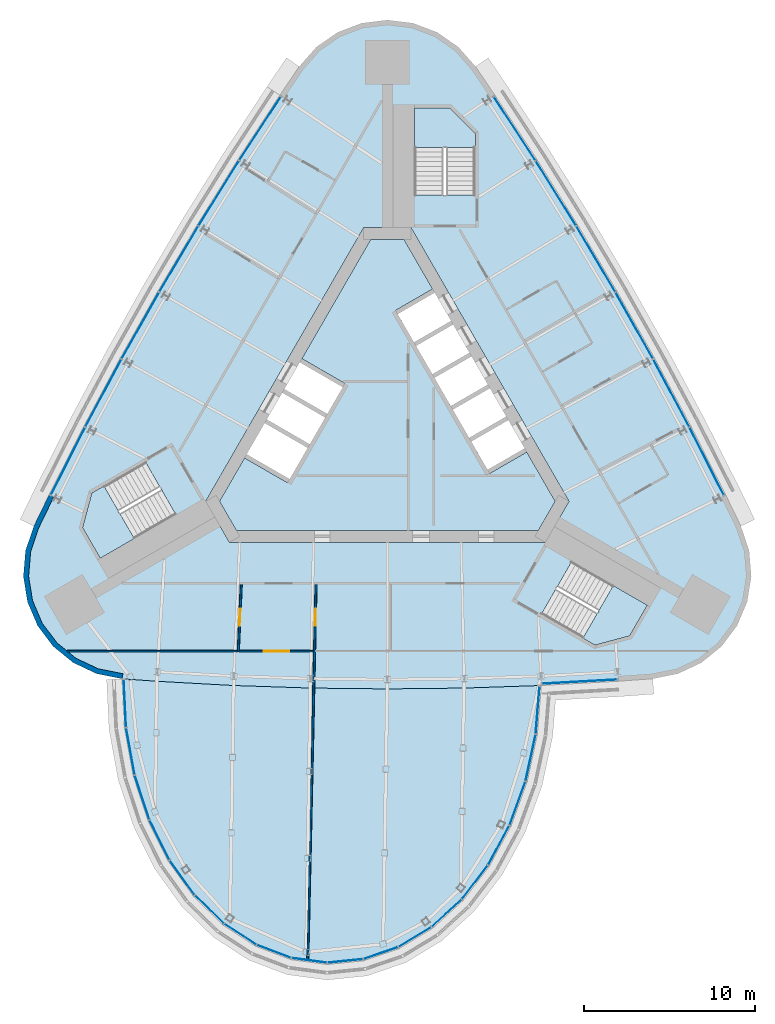
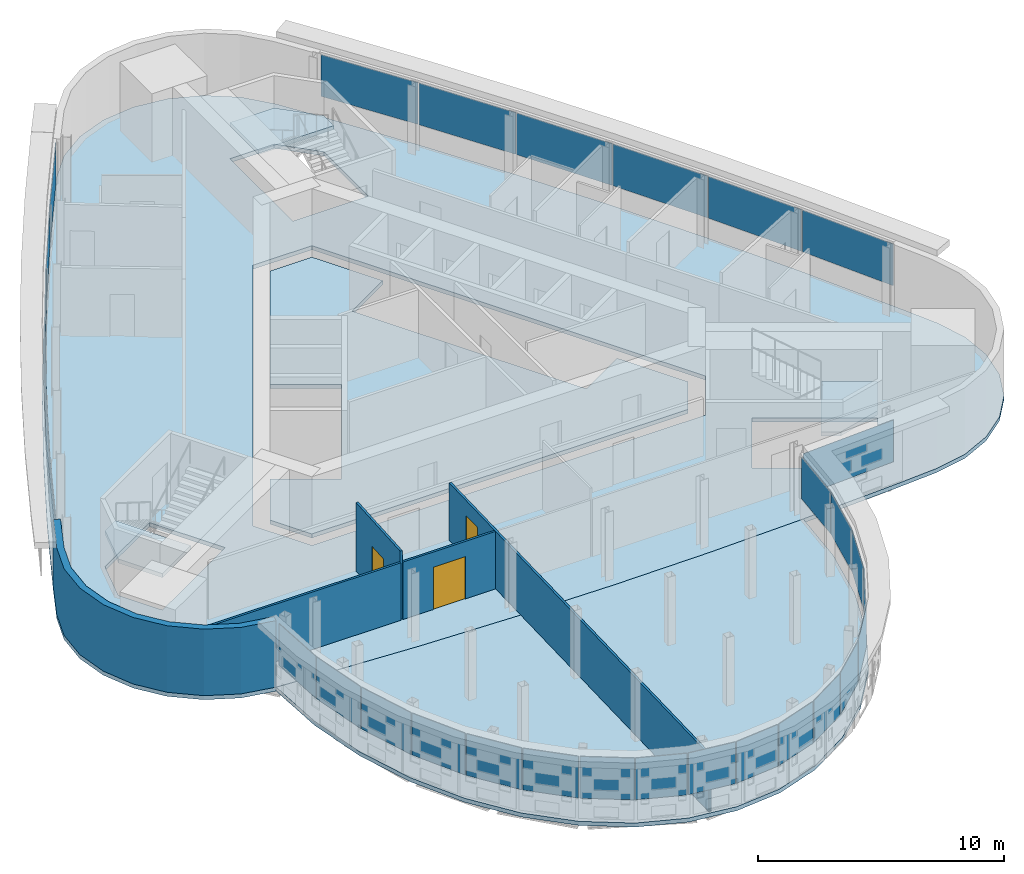
# One storey, part 8 of 14: 31 plates, 6 slabs, 5 walls, 3 doors, 3 openings, 7 elements without a shape of their own.
"""IFC4 building model written with IfcOpenShell, lengths in metres."""

from ifc_helpers import new_model, si_unit, direction, frame, frame_2d, origin, origin_2d, place, context, subcontext, project, spatial, polyline, rectangle, outline, extrude, material, layer, layer_set, type_object, element, fill, aggregate, save


model = new_model("IFC4")

# Units and contexts
model_context = context("Model", 3, precision=1e-05, world=origin(), true_north=direction((0.0, 1.0)))
body_context = subcontext(model_context, "Body", "Model", "MODEL_VIEW")
ifc_project = project(units=[si_unit("LENGTHUNIT", "METRE"), si_unit("AREAUNIT", "SQUARE_METRE"), si_unit("VOLUMEUNIT", "CUBIC_METRE"), si_unit("PLANEANGLEUNIT", "RADIAN"), si_unit("MASSUNIT", "GRAM", prefix="KILO")], contexts=[model_context])

# Site, building, storey
site_placement = place(None, origin())
site = spatial("IfcSite", under=ifc_project, at=site_placement, CompositionType="ELEMENT")
building_placement = place(site_placement, origin())
building = spatial("IfcBuilding", under=site, at=building_placement, Name="Noor Cloister Tower", CompositionType="ELEMENT")
storey_placement = place(building_placement, frame((0.0, 0.0, 222.0)))
storey = spatial("IfcBuildingStorey", under=building, at=storey_placement, Name="L57", CompositionType="ELEMENT", Elevation=222.0)

# Slabs
ifc_material_1 = material(Name="Concrete C40/50", Category="concrete")
ifc_layer_1 = layer(ifc_material_1, 0.199951171875)
ifc_layer_set_1 = layer_set([ifc_layer_1], Name="Core floor slab 200 C40/50")
slab_type_1 = type_object("IfcSlabType", Name="Core floor slab 200 C40/50", PredefinedType="FLOOR", material=ifc_layer_set_1)
slab_1_placement = place(storey_placement, frame((0.0, 0.0, -0.199951171875)))
element("IfcSlab", 1, at=slab_1_placement, inside=storey, type_object=slab_type_1, Name="Core floor L57", PredefinedType="FLOOR", context=body_context, shape_type="SweptSolid", body=[
    extrude(outline(polyline([(2.643798828125, 7.877197265625), (0.9814453125, 10.75634765625), (-0.9814453125, 10.75634765625), (-4.993896484375, 3.806884765625), (-2.482421875, 2.35693359375), (-5.832275390625, -3.4453125), (-8.34375, -1.995361328125), (-9.80615234375, -4.5283203125), (-8.82470703125, -6.228271484375), (8.82470703125, -6.228271484375), (9.80615234375, -4.5283203125), (8.143798828125, -1.64892578125), (5.978759765625, -2.89892578125), (0.478759765625, 6.627197265625), (2.643798828125, 7.877197265625)])), origin(), (0.0, 0.0, 1.0), 0.199951171875),
])
ifc_material_2 = material(Name="Concrete C40/50", Category="concrete")
ifc_layer_2 = layer(ifc_material_2, 0.199951171875)
ifc_layer_set_2 = layer_set([ifc_layer_2], Name="Floor slab 200 C40/50")
slab_type_2 = type_object("IfcSlabType", Name="Floor slab 200 C40/50", PredefinedType="FLOOR", material=ifc_layer_set_2)
slab_2_placement = place(storey_placement, frame((0.0, 0.0, -0.199951171875)))
element("IfcSlab", 2, at=slab_2_placement, inside=storey, type_object=slab_type_2, Name="Floor slab L57", PredefinedType="FLOOR", context=body_context, shape_type="SweptSolid", body=[
    extrude(outline(polyline([(5.148681640625, 20.87890625), (4.1513671875, 22.012939453125), (2.91064453125, 22.874267578125), (1.499267578125, 23.412109375), (0.0, 23.5947265625), (-1.499267578125, 23.412109375), (-2.91064453125, 22.874267578125), (-4.1513671875, 22.012939453125), (-5.148681640625, 20.87890625), (-6.2822265625, 19.2041015625), (-8.744140625, 15.437255859375), (-11.122314453125, 11.6171875), (-13.415283203125, 7.745361328125), (-15.621826171875, 3.823486328125), (-17.7412109375, -0.14599609375), (-19.772216796875, -4.16162109375), (-20.65576171875, -5.98046875), (-21.139404296875, -7.411376953125), (-21.264892578125, -8.91650390625), (-21.02490234375, -10.40771484375), (-20.433837890625, -11.79736328125), (-19.52587890625, -13.00439453125), (-18.354248046875, -13.957763671875), (-16.988037109375, -14.6015625), (-15.50732421875, -14.898193359375), (-13.489990234375, -15.04248046875), (-8.9970703125, -15.291259765625), (-4.49951171875, -15.440673828125), (0.0, -15.490478515625), (4.49951171875, -15.440673828125), (8.9970703125, -15.291259765625), (13.489990234375, -15.04248046875), (15.50732421875, -14.898193359375), (16.988037109375, -14.6015625), (18.354248046875, -13.957763671875), (19.52587890625, -13.00439453125), (20.433837890625, -11.79736328125), (21.02490234375, -10.40771484375), (21.264892578125, -8.91650390625), (21.139404296875, -7.411376953125), (20.65576171875, -5.98046875), (19.772216796875, -4.16162109375), (17.7412109375, -0.14599609375), (15.621826171875, 3.823486328125), (13.415283203125, 7.745361328125), (11.122314453125, 11.6171875), (8.744140625, 15.437255859375), (6.2822265625, 19.2041015625), (5.148681640625, 20.87890625)]), holes=[polyline([(8.999755859375, -11.126220703125), (12.131591796875, -12.934326171875), (14.1572265625, -12.3916015625), (15.19091796875, -10.601318359375), (10.774658203125, -8.0517578125), (8.999755859375, -11.126220703125)]), polyline([(-17.81005859375, -6.064697265625), (-16.776611328125, -7.85498046875), (-12.3603515625, -5.305419921875), (-14.13525390625, -2.23095703125), (-16.662841796875, -3.690185546875), (-17.267333984375, -4.039306640625), (-17.81005859375, -6.064697265625)]), polyline([(-10.6142578125, -4.5283203125), (-9.228759765625, -6.92822265625), (9.228759765625, -6.92822265625), (10.6142578125, -4.5283203125), (1.3857421875, 11.456298828125), (-1.3857421875, 11.456298828125), (-10.6142578125, -4.5283203125)]), polyline([(3.65283203125, 18.456298828125), (1.585693359375, 18.456298828125), (1.585693359375, 13.35693359375), (5.135498046875, 13.35693359375), (5.135498046875, 16.9736328125), (3.65283203125, 18.456298828125)])]), origin(), (0.0, 0.0, 1.0), 0.199951171875),
])

# Curtain wall, plates
ifc_material_3 = material(Name="Aluminium 6063-T6 anodised", Category="aluminium")
curtain_wall_type_1 = type_object("IfcCurtainWallType", Name="Ribbon curtain wall, upper tower CW5", PredefinedType="NOTDEFINED", material=ifc_material_3)
curtain_wall_1_placement = place(storey_placement, origin())
curtain_wall_1 = element("IfcCurtainWall", 3, at=curtain_wall_1_placement, inside=storey, type_object=curtain_wall_type_1, Name="CW5 L57 NW run 1", PredefinedType="NOTDEFINED")
ifc_material_4 = material(Name="Clear laminated glass 2 x 8 mm", Category="glass")
ifc_layer_3 = layer(ifc_material_4, 0.028076171875)
ifc_layer_set_3 = layer_set([ifc_layer_3], Name="Glass panel CW5")
plate_type_1 = type_object("IfcPlateType", Name="Glass panel CW5", PredefinedType="CURTAIN_PANEL", material=ifc_layer_set_3)
plate_1_placement = place(storey_placement, frame((-7.438720703125, 17.251708984375, 1.08984375), z_axis=(0.0, 0.0, 1.0), x_axis=(-0.547130585813, -0.837047263939, 0.0)))
plate_1 = element("IfcPlate", 4, at=plate_1_placement, type_object=plate_type_1, Name="CW5 glass panel 1", PredefinedType="CURTAIN_PANEL", context=body_context, shape_type="SweptSolid", body=[
    extrude(rectangle(XDim=4.413818359375, YDim=0.028076171875, at=origin_2d()), origin(), (0.0, 0.0, 1.0), 2.070068359375),
])
plate_2_placement = place(storey_placement, frame((-9.848388671875, 13.474365234375, 1.08984375), z_axis=(0.0, 0.0, 1.0), x_axis=(-0.528471347381, -0.848951138168, 0.0)))
plate_2 = element("IfcPlate", 5, at=plate_2_placement, type_object=plate_type_1, Name="CW5 glass panel 2", PredefinedType="CURTAIN_PANEL", context=body_context, shape_type="SweptSolid", body=[
    extrude(rectangle(XDim=4.44775390625, YDim=0.028076171875, at=origin_2d()), origin(), (0.0, 0.0, 1.0), 2.070068359375),
])
plate_3_placement = place(storey_placement, frame((-12.1826171875, 9.630126953125, 1.08984375), z_axis=(0.0, 0.0, 1.0), x_axis=(-0.509553242025, -0.860439128319, 0.0)))
plate_3 = element("IfcPlate", 6, at=plate_3_placement, type_object=plate_type_1, Name="CW5 glass panel 3", PredefinedType="CURTAIN_PANEL", context=body_context, shape_type="SweptSolid", body=[
    extrude(rectangle(XDim=4.44775390625, YDim=0.028076171875, at=origin_2d()), origin(), (0.0, 0.0, 1.0), 2.070068359375),
])
plate_4_placement = place(storey_placement, frame((-14.431396484375, 5.7353515625, 1.08984375), z_axis=(0.0, 0.0, 1.0), x_axis=(-0.490385522521, -0.871505616334, 0.0)))
plate_4 = element("IfcPlate", 7, at=plate_4_placement, type_object=plate_type_1, Name="CW5 glass panel 4", PredefinedType="CURTAIN_PANEL", context=body_context, shape_type="SweptSolid", body=[
    extrude(rectangle(XDim=4.44775390625, YDim=0.028076171875, at=origin_2d()), origin(), (0.0, 0.0, 1.0), 2.070068359375),
])
plate_5_placement = place(storey_placement, frame((-16.59326171875, 1.791748046875, 1.08984375), z_axis=(0.0, 0.0, 1.0), x_axis=(-0.470977578535, -0.882145181088, 0.0)))
plate_5 = element("IfcPlate", 8, at=plate_5_placement, type_object=plate_type_1, Name="CW5 glass panel 5", PredefinedType="CURTAIN_PANEL", context=body_context, shape_type="SweptSolid", body=[
    extrude(rectangle(XDim=4.44775390625, YDim=0.028076171875, at=origin_2d()), origin(), (0.0, 0.0, 1.0), 2.070068359375),
])
plate_6_placement = place(storey_placement, frame((-18.659912109375, -2.183837890625, 1.08984375), z_axis=(0.0, 0.0, 1.0), x_axis=(-0.451338901833, -0.892352618471, 0.0)))
plate_6 = element("IfcPlate", 9, at=plate_6_placement, type_object=plate_type_1, Name="CW5 glass panel 6", PredefinedType="CURTAIN_PANEL", context=body_context, shape_type="SweptSolid", body=[
    extrude(rectangle(XDim=4.413818359375, YDim=0.028076171875, at=origin_2d()), origin(), (0.0, 0.0, 1.0), 2.070068359375),
])
aggregate(curtain_wall_1, [plate_1, plate_2, plate_3, plate_4, plate_5, plate_6])

# Curtain wall, plate
curtain_wall_2_placement = place(storey_placement, origin())
curtain_wall_2 = element("IfcCurtainWall", 10, at=curtain_wall_2_placement, inside=storey, type_object=curtain_wall_type_1, Name="CW5 L57 S run 3", PredefinedType="NOTDEFINED")
plate_7_placement = place(storey_placement, frame((11.238037109375, -15.067138671875, 1.08984375), z_axis=(0.0, 0.0, 1.0), x_axis=(0.998469487646, 0.055305354532, 0.0)))
plate_7 = element("IfcPlate", 11, at=plate_7_placement, type_object=plate_type_1, Name="CW5 glass panel 1", PredefinedType="CURTAIN_PANEL", context=body_context, shape_type="SweptSolid", body=[
    extrude(rectangle(XDim=4.3798828125, YDim=0.028076171875, at=origin_2d()), origin(), (0.0, 0.0, 1.0), 2.070068359375),
])
aggregate(curtain_wall_2, [plate_7])

# Curtain wall, plates
curtain_wall_3_placement = place(storey_placement, origin())
curtain_wall_3 = element("IfcCurtainWall", 12, at=curtain_wall_3_placement, inside=storey, type_object=curtain_wall_type_1, Name="CW5 L57 NE run 4", PredefinedType="NOTDEFINED")
plate_8_placement = place(storey_placement, frame((18.659912109375, -2.183837890625, 1.08984375), z_axis=(0.0, 0.0, 1.0), x_axis=(-0.451338901833, 0.892352618471, 0.0)))
plate_8 = element("IfcPlate", 13, at=plate_8_placement, type_object=plate_type_1, Name="CW5 glass panel 1", PredefinedType="CURTAIN_PANEL", context=body_context, shape_type="SweptSolid", body=[
    extrude(rectangle(XDim=4.413818359375, YDim=0.028076171875, at=origin_2d()), origin(), (0.0, 0.0, 1.0), 2.070068359375),
])
plate_9_placement = place(storey_placement, frame((16.59326171875, 1.791748046875, 1.08984375), z_axis=(0.0, 0.0, 1.0), x_axis=(-0.470977578535, 0.882145181088, 0.0)))
plate_9 = element("IfcPlate", 14, at=plate_9_placement, type_object=plate_type_1, Name="CW5 glass panel 2", PredefinedType="CURTAIN_PANEL", context=body_context, shape_type="SweptSolid", body=[
    extrude(rectangle(XDim=4.44775390625, YDim=0.028076171875, at=origin_2d()), origin(), (0.0, 0.0, 1.0), 2.070068359375),
])
plate_10_placement = place(storey_placement, frame((14.431396484375, 5.7353515625, 1.08984375), z_axis=(0.0, 0.0, 1.0), x_axis=(-0.490385522521, 0.871505616334, 0.0)))
plate_10 = element("IfcPlate", 15, at=plate_10_placement, type_object=plate_type_1, Name="CW5 glass panel 3", PredefinedType="CURTAIN_PANEL", context=body_context, shape_type="SweptSolid", body=[
    extrude(rectangle(XDim=4.44775390625, YDim=0.028076171875, at=origin_2d()), origin(), (0.0, 0.0, 1.0), 2.070068359375),
])
plate_11_placement = place(storey_placement, frame((12.1826171875, 9.630126953125, 1.08984375), z_axis=(0.0, 0.0, 1.0), x_axis=(-0.509553242025, 0.860439128319, 0.0)))
plate_11 = element("IfcPlate", 16, at=plate_11_placement, type_object=plate_type_1, Name="CW5 glass panel 4", PredefinedType="CURTAIN_PANEL", context=body_context, shape_type="SweptSolid", body=[
    extrude(rectangle(XDim=4.44775390625, YDim=0.028076171875, at=origin_2d()), origin(), (0.0, 0.0, 1.0), 2.070068359375),
])
plate_12_placement = place(storey_placement, frame((9.848388671875, 13.474365234375, 1.08984375), z_axis=(0.0, 0.0, 1.0), x_axis=(-0.528471347381, 0.848951138168, 0.0)))
plate_12 = element("IfcPlate", 17, at=plate_12_placement, type_object=plate_type_1, Name="CW5 glass panel 5", PredefinedType="CURTAIN_PANEL", context=body_context, shape_type="SweptSolid", body=[
    extrude(rectangle(XDim=4.44775390625, YDim=0.028076171875, at=origin_2d()), origin(), (0.0, 0.0, 1.0), 2.070068359375),
])
plate_13_placement = place(storey_placement, frame((7.438720703125, 17.251708984375, 1.08984375), z_axis=(0.0, 0.0, 1.0), x_axis=(-0.547130585813, 0.837047263939, 0.0)))
plate_13 = element("IfcPlate", 18, at=plate_13_placement, type_object=plate_type_1, Name="CW5 glass panel 6", PredefinedType="CURTAIN_PANEL", context=body_context, shape_type="SweptSolid", body=[
    extrude(rectangle(XDim=4.413818359375, YDim=0.028076171875, at=origin_2d()), origin(), (0.0, 0.0, 1.0), 2.070068359375),
])
aggregate(curtain_wall_3, [plate_8, plate_9, plate_10, plate_11, plate_12, plate_13])

ifc_material_5 = material(Name="Aluminium 6063-T6 anodised", Category="aluminium")
curtain_wall_type_2 = type_object("IfcCurtainWallType", Name="Sky bar curtain wall, upper bars CW6", PredefinedType="NOTDEFINED", material=ifc_material_5)
curtain_wall_4_placement = place(storey_placement, origin())
curtain_wall_4 = element("IfcCurtainWall", 19, at=curtain_wall_4_placement, inside=storey, type_object=curtain_wall_type_2, Name="CW6 L57 S sky bar run 2", PredefinedType="NOTDEFINED")
ifc_material_6 = material(Name="Clear laminated glass 2 x 8 mm", Category="glass")
ifc_layer_4 = layer(ifc_material_6, 0.028076171875)
ifc_layer_set_4 = layer_set([ifc_layer_4], Name="Glass panel CW6")
plate_type_2 = type_object("IfcPlateType", Name="Glass panel CW6", PredefinedType="CURTAIN_PANEL", material=ifc_layer_set_4)
plate_14_placement = place(storey_placement, frame((-15.336669921875, -16.34130859375, 1.08984375), z_axis=(0.0, 0.0, 1.0), x_axis=(0.048822714606, -0.998807460194, 0.0)))
plate_14 = element("IfcPlate", 20, at=plate_14_placement, type_object=plate_type_2, Name="CW6 glass panel 1", PredefinedType="CURTAIN_PANEL", context=body_context, shape_type="SweptSolid", body=[
    extrude(rectangle(XDim=2.779541015625, YDim=0.028076171875, at=origin_2d()), origin(), (0.0, 0.0, 1.0), 2.070068359375),
])
plate_15_placement = place(storey_placement, frame((-15.0146484375, -19.141357421875, 1.08984375), z_axis=(0.0, 0.0, 1.0), x_axis=(0.17940983055, -0.983774421655, 0.0)))
plate_15 = element("IfcPlate", 21, at=plate_15_placement, type_object=plate_type_2, Name="CW6 glass panel 2", PredefinedType="CURTAIN_PANEL", context=body_context, shape_type="SweptSolid", body=[
    extrude(rectangle(XDim=2.76904296875, YDim=0.028076171875, at=origin_2d()), origin(), (0.0, 0.0, 1.0), 2.070068359375),
])
plate_16_placement = place(storey_placement, frame((-14.33349609375, -21.831787109375, 1.08984375), z_axis=(0.0, 0.0, 1.0), x_axis=(0.312038400658, -0.950069490361, 0.0)))
plate_16 = element("IfcPlate", 22, at=plate_16_placement, type_object=plate_type_2, Name="CW6 glass panel 3", PredefinedType="CURTAIN_PANEL", context=body_context, shape_type="SweptSolid", body=[
    extrude(rectangle(XDim=2.694091796875, YDim=0.028076171875, at=origin_2d()), origin(), (0.0, 0.0, 1.0), 2.070068359375),
])
plate_17_placement = place(storey_placement, frame((-13.315185546875, -24.316162109375, 1.08984375), z_axis=(0.0, 0.0, 1.0), x_axis=(0.447069484566, -0.894499231956, 0.0)))
plate_17 = element("IfcPlate", 23, at=plate_17_placement, type_object=plate_type_2, Name="CW6 glass panel 4", PredefinedType="CURTAIN_PANEL", context=body_context, shape_type="SweptSolid", body=[
    extrude(rectangle(XDim=2.590087890625, YDim=0.028076171875, at=origin_2d()), origin(), (0.0, 0.0, 1.0), 2.070068359375),
])
plate_18_placement = place(storey_placement, frame((-11.9912109375, -26.51904296875, 1.08984375), z_axis=(0.0, 0.0, 1.0), x_axis=(0.583263432712, -0.812283059076, 0.0)))
plate_18 = element("IfcPlate", 24, at=plate_18_placement, type_object=plate_type_2, Name="CW6 glass panel 5", PredefinedType="CURTAIN_PANEL", context=body_context, shape_type="SweptSolid", body=[
    extrude(rectangle(XDim=2.466064453125, YDim=0.028076171875, at=origin_2d()), origin(), (0.0, 0.0, 1.0), 2.070068359375),
])
plate_19_placement = place(storey_placement, frame((-10.40234375, -28.373291015625, 1.08984375), z_axis=(0.0, 0.0, 1.0), x_axis=(0.716495314317, -0.697591904025, 0.0)))
plate_19 = element("IfcPlate", 25, at=plate_19_placement, type_object=plate_type_2, Name="CW6 glass panel 6", PredefinedType="CURTAIN_PANEL", context=body_context, shape_type="SweptSolid", body=[
    extrude(rectangle(XDim=2.3359375, YDim=0.028076171875, at=origin_2d()), origin(), (0.0, 0.0, 1.0), 2.070068359375),
])
plate_20_placement = place(storey_placement, frame((-8.59814453125, -29.8232421875, 1.08984375), z_axis=(0.0, 0.0, 1.0), x_axis=(0.838255798572, -0.545277192041, 0.0)))
plate_20 = element("IfcPlate", 26, at=plate_20_placement, type_object=plate_type_2, Name="CW6 glass panel 7", PredefinedType="CURTAIN_PANEL", context=body_context, shape_type="SweptSolid", body=[
    extrude(rectangle(XDim=2.21484375, YDim=0.028076171875, at=origin_2d()), origin(), (0.0, 0.0, 1.0), 2.070068359375),
])
plate_21_placement = place(storey_placement, frame((-6.6337890625, -30.825439453125, 1.08984375), z_axis=(0.0, 0.0, 1.0), x_axis=(0.935082379451, -0.354430449651, 0.0)))
plate_21 = element("IfcPlate", 27, at=plate_21_placement, type_object=plate_type_2, Name="CW6 glass panel 8", PredefinedType="CURTAIN_PANEL", context=body_context, shape_type="SweptSolid", body=[
    extrude(rectangle(XDim=2.12060546875, YDim=0.028076171875, at=origin_2d()), origin(), (0.0, 0.0, 1.0), 2.070068359375),
])
plate_22_placement = place(storey_placement, frame((-4.568359375, -31.35107421875, 1.08984375), z_axis=(0.0, 0.0, 1.0), x_axis=(0.991127949821, -0.132911199993, 0.0)))
plate_22 = element("IfcPlate", 28, at=plate_22_placement, type_object=plate_type_2, Name="CW6 glass panel 9", PredefinedType="CURTAIN_PANEL", context=body_context, shape_type="SweptSolid", body=[
    extrude(rectangle(XDim=2.06884765625, YDim=0.028076171875, at=origin_2d()), origin(), (0.0, 0.0, 1.0), 2.070068359375),
])
plate_23_placement = place(storey_placement, frame((-2.4638671875, -31.385009765625, 1.08984375), z_axis=(0.0, 0.0, 1.0), x_axis=(0.994881086268, 0.101052581298, 0.0)))
plate_23 = element("IfcPlate", 29, at=plate_23_placement, type_object=plate_type_2, Name="CW6 glass panel 10", PredefinedType="CURTAIN_PANEL", context=body_context, shape_type="SweptSolid", body=[
    extrude(rectangle(XDim=2.06884765625, YDim=0.028076171875, at=origin_2d()), origin(), (0.0, 0.0, 1.0), 2.070068359375),
])
plate_24_placement = place(storey_placement, frame((-0.3828125, -30.92578125, 1.08984375), z_axis=(0.0, 0.0, 1.0), x_axis=(0.945969538875, 0.324255503454, 0.0)))
plate_24 = element("IfcPlate", 30, at=plate_24_placement, type_object=plate_type_2, Name="CW6 glass panel 11", PredefinedType="CURTAIN_PANEL", context=body_context, shape_type="SweptSolid", body=[
    extrude(rectangle(XDim=2.12060546875, YDim=0.028076171875, at=origin_2d()), origin(), (0.0, 0.0, 1.0), 2.070068359375),
])
plate_25_placement = place(storey_placement, frame((1.61279296875, -29.987060546875, 1.08984375), z_axis=(0.0, 0.0, 1.0), x_axis=(0.855314149402, 0.518109743039, 0.0)))
plate_25 = element("IfcPlate", 31, at=plate_25_placement, type_object=plate_type_2, Name="CW6 glass panel 12", PredefinedType="CURTAIN_PANEL", context=body_context, shape_type="SweptSolid", body=[
    extrude(rectangle(XDim=2.21484375, YDim=0.028076171875, at=origin_2d()), origin(), (0.0, 0.0, 1.0), 2.070068359375),
])
plate_26_placement = place(storey_placement, frame((3.462646484375, -28.595703125, 1.08984375), z_axis=(0.0, 0.0, 1.0), x_axis=(0.738501778547, 0.674251528054, 0.0)))
plate_26 = element("IfcPlate", 32, at=plate_26_placement, type_object=plate_type_2, Name="CW6 glass panel 13", PredefinedType="CURTAIN_PANEL", context=body_context, shape_type="SweptSolid", body=[
    extrude(rectangle(XDim=2.3359375, YDim=0.028076171875, at=origin_2d()), origin(), (0.0, 0.0, 1.0), 2.070068359375),
])
plate_27_placement = place(storey_placement, frame((5.110107421875, -26.79345703125, 1.08984375), z_axis=(0.0, 0.0, 1.0), x_axis=(0.609017158435, 0.793157046701, 0.0)))
plate_27 = element("IfcPlate", 33, at=plate_27_placement, type_object=plate_type_2, Name="CW6 glass panel 14", PredefinedType="CURTAIN_PANEL", context=body_context, shape_type="SweptSolid", body=[
    extrude(rectangle(XDim=2.466064453125, YDim=0.028076171875, at=origin_2d()), origin(), (0.0, 0.0, 1.0), 2.070068359375),
])
plate_28_placement = place(storey_placement, frame((6.504150390625, -24.634033203125, 1.08984375), z_axis=(0.0, 0.0, 1.0), x_axis=(0.475530339564, 0.879699321447, 0.0)))
plate_28 = element("IfcPlate", 34, at=plate_28_placement, type_object=plate_type_2, Name="CW6 glass panel 15", PredefinedType="CURTAIN_PANEL", context=body_context, shape_type="SweptSolid", body=[
    extrude(rectangle(XDim=2.590087890625, YDim=0.028076171875, at=origin_2d()), origin(), (0.0, 0.0, 1.0), 2.070068359375),
])
plate_29_placement = place(storey_placement, frame((7.6015625, -22.18359375, 1.08984375), z_axis=(0.0, 0.0, 1.0), x_axis=(0.342351138036, 0.939572082538, 0.0)))
plate_29 = element("IfcPlate", 35, at=plate_29_placement, type_object=plate_type_2, Name="CW6 glass panel 16", PredefinedType="CURTAIN_PANEL", context=body_context, shape_type="SweptSolid", body=[
    extrude(rectangle(XDim=2.694091796875, YDim=0.028076171875, at=origin_2d()), origin(), (0.0, 0.0, 1.0), 2.070068359375),
])
plate_30_placement = place(storey_placement, frame((8.36865234375, -19.516357421875, 1.08984375), z_axis=(0.0, 0.0, 1.0), x_axis=(0.210871888122, 0.977513706707, 0.0)))
plate_30 = element("IfcPlate", 36, at=plate_30_placement, type_object=plate_type_2, Name="CW6 glass panel 17", PredefinedType="CURTAIN_PANEL", context=body_context, shape_type="SweptSolid", body=[
    extrude(rectangle(XDim=2.76904296875, YDim=0.028076171875, at=origin_2d()), origin(), (0.0, 0.0, 1.0), 2.070068359375),
])
plate_31_placement = place(storey_placement, frame((8.7802734375, -16.728271484375, 1.08984375), z_axis=(0.0, 0.0, 1.0), x_axis=(0.080834144736, 0.996727566111, 0.0)))
plate_31 = element("IfcPlate", 37, at=plate_31_placement, type_object=plate_type_2, Name="CW6 glass panel 18", PredefinedType="CURTAIN_PANEL", context=body_context, shape_type="SweptSolid", body=[
    extrude(rectangle(XDim=2.779541015625, YDim=0.028076171875, at=origin_2d()), origin(), (0.0, 0.0, 1.0), 2.070068359375),
])
aggregate(curtain_wall_4, [plate_14, plate_15, plate_16, plate_17, plate_18, plate_19, plate_20, plate_21, plate_22, plate_23, plate_24, plate_25, plate_26, plate_27, plate_28, plate_29, plate_30, plate_31])

# Slab
ifc_material_7 = material(Name="Concrete C40/50", Category="concrete")
ifc_layer_5 = layer(ifc_material_7, 0.199951171875)
ifc_layer_set_5 = layer_set([ifc_layer_5], Name="Pod floor slab 200")
slab_type_3 = type_object("IfcSlabType", Name="Pod floor slab 200", PredefinedType="FLOOR", material=ifc_layer_set_5)
slab_3_placement = place(storey_placement, frame((0.0, 0.0, -0.199951171875)))
element("IfcSlab", 38, at=slab_3_placement, inside=storey, type_object=slab_type_3, Name="Pod floor slab L57", PredefinedType="FLOOR", context=body_context, shape_type="SweptSolid", body=[
    extrude(outline(polyline([(-15.50732421875, -14.898193359375), (-15.366943359375, -17.76611328125), (-14.85888671875, -20.552734375), (-13.998046875, -23.173583984375), (-12.810791015625, -25.548828125), (-11.333251953125, -27.6064453125), (-9.6103515625, -29.2841796875), (-7.6943359375, -30.530517578125), (-5.643310546875, -31.307861328125), (-3.519775390625, -31.5927734375), (-1.38818359375, -31.376220703125), (0.686767578125, -30.6650390625), (2.641845703125, -29.480712890625), (4.417724609375, -27.859130859375), (5.96044921875, -25.85009765625), (7.22314453125, -23.513916015625), (8.167724609375, -20.922119140625), (8.764892578125, -18.153076171875), (8.9970703125, -15.291259765625), (4.49951171875, -15.440673828125), (0.0, -15.490478515625), (-4.49951171875, -15.440673828125), (-8.9970703125, -15.291259765625), (-13.489990234375, -15.04248046875), (-15.50732421875, -14.898193359375)])), origin(), (0.0, 0.0, 1.0), 0.199951171875),
])

# Stair, slab
ifc_material_8 = material(Name="Concrete C40/50", Category="concrete")
stair_type = type_object("IfcStairType", Name="Exit stair 22 risers", PredefinedType="HALF_TURN_STAIR", material=ifc_material_8)
stair_1_placement = place(storey_placement, origin())
stair_1 = element("IfcStair", 39, at=stair_1_placement, inside=storey, type_object=stair_type, Name="Exit stair ST1 L57", PredefinedType="HALF_TURN_STAIR")
ifc_material_9 = material(Name="Concrete C40/50", Category="concrete")
ifc_layer_6 = layer(ifc_material_9, 0.199951171875)
ifc_layer_set_6 = layer_set([ifc_layer_6], Name="Stair landing 200 C40/50")
slab_type_4 = type_object("IfcSlabType", Name="Stair landing 200 C40/50", PredefinedType="LANDING", material=ifc_layer_set_6)
slab_4_placement = place(storey_placement, frame((0.0, 0.0, 1.60009765625)))
slab_4 = element("IfcSlab", 40, at=slab_4_placement, type_object=slab_type_4, Name="ST1 landing 1", PredefinedType="LANDING", context=body_context, shape_type="SweptSolid", body=[
    extrude(outline(polyline([(5.135498046875, 16.15576171875), (5.135498046875, 16.9736328125), (3.65283203125, 18.456298828125), (1.585693359375, 18.456298828125), (1.585693359375, 16.15576171875), (5.135498046875, 16.15576171875)])), origin(), (0.0, 0.0, 1.0), 0.199951171875),
])
aggregate(stair_1, [slab_4])

stair_2_placement = place(storey_placement, origin())
stair_2 = element("IfcStair", 41, at=stair_2_placement, inside=storey, type_object=stair_type, Name="Exit stair ST2 L57", PredefinedType="HALF_TURN_STAIR")
slab_5_placement = place(storey_placement, frame((0.0, 0.0, 1.60009765625)))
slab_5 = element("IfcSlab", 42, at=slab_5_placement, type_object=slab_type_4, Name="ST2 landing 1", PredefinedType="LANDING", context=body_context, shape_type="SweptSolid", body=[
    extrude(outline(polyline([(-16.55908203125, -3.63037109375), (-17.267333984375, -4.039306640625), (-17.81005859375, -6.064697265625), (-16.776611328125, -7.85498046875), (-14.7841796875, -6.70458984375), (-16.55908203125, -3.63037109375)])), origin(), (0.0, 0.0, 1.0), 0.199951171875),
])
aggregate(stair_2, [slab_5])

stair_3_placement = place(storey_placement, origin())
stair_3 = element("IfcStair", 43, at=stair_3_placement, inside=storey, type_object=stair_type, Name="Exit stair ST3 L57", PredefinedType="HALF_TURN_STAIR")
slab_6_placement = place(storey_placement, frame((0.0, 0.0, 1.60009765625)))
slab_6 = element("IfcSlab", 44, at=slab_6_placement, type_object=slab_type_4, Name="ST3 landing 1", PredefinedType="LANDING", context=body_context, shape_type="SweptSolid", body=[
    extrude(outline(polyline([(11.423583984375, -12.525390625), (12.131591796875, -12.934326171875), (14.1572265625, -12.3916015625), (15.19091796875, -10.601318359375), (13.198486328125, -9.451171875), (11.423583984375, -12.525390625)])), origin(), (0.0, 0.0, 1.0), 0.199951171875),
])
aggregate(stair_3, [slab_6])

# Wall
ifc_material_10 = material(Name="Limestone", Category="masonry")
ifc_layer_7 = layer(ifc_material_10, 0.300048828125)
ifc_layer_set_7 = layer_set([ifc_layer_7], Name="Limestone cladding 300")
wall_type_1 = type_object("IfcWallType", Name="Limestone cladding 300", PredefinedType="NOTDEFINED", material=ifc_layer_set_7)
wall_1_placement = place(storey_placement, origin())
element("IfcWall", 45, at=wall_1_placement, inside=storey, type_object=wall_type_1, Name="Limestone pier cladding L57 1.1", PredefinedType="NOTDEFINED", context=body_context, shape_type="SweptSolid", body=[
    extrude(outline(polyline([(-19.772216796875, -4.16162109375), (-20.65576171875, -5.98046875), (-21.139404296875, -7.411376953125), (-21.264892578125, -8.91650390625), (-21.02490234375, -10.40771484375), (-20.433837890625, -11.79736328125), (-19.52587890625, -13.00439453125), (-18.354248046875, -13.957763671875), (-16.988037109375, -14.6015625), (-15.50732421875, -14.898193359375), (-15.4482421875, -14.60400390625), (-16.893310546875, -14.314697265625), (-18.193359375, -13.701904296875), (-19.30810546875, -12.794677734375), (-20.171875, -11.646240234375), (-20.734619140625, -10.323974609375), (-20.962890625, -8.905029296875), (-20.843505859375, -7.47265625), (-20.377685546875, -6.094482421875), (-19.50244140625, -4.292724609375), (-19.772216796875, -4.16162109375)])), origin(), (0.0, 0.0, 1.0), 3.300048828125),
])

# Wall, opening, door
ifc_material_11 = material(Name="Gypsum board partition on steel studs, 100 mm", Category="steel")
ifc_layer_8 = layer(ifc_material_11, 0.10009765625)
ifc_layer_set_8 = layer_set([ifc_layer_8], Name="Partition 100")
wall_type_2 = type_object("IfcWallType", Name="Partition 100", PredefinedType="PARTITIONING", material=ifc_layer_set_8)
wall_2_placement = place(storey_placement, frame((-8.5361328125, -9.4033203125, 0.0), z_axis=(0.0, 0.0, 1.0), x_axis=(-0.044201203498, -0.999022649197, 0.0)))
wall_2 = element("IfcWall", 46, at=wall_2_placement, inside=storey, type_object=wall_type_2, Name="Wall L57-W14", PredefinedType="PARTITIONING", context=body_context, shape_type="SweptSolid", body=[
    extrude(rectangle(XDim=3.883056640625, YDim=0.10009765625, at=frame_2d((1.94140625, 0.0))), origin(), (0.0, 0.0, 1.0), 3.39990234375),
])
opening_1_placement = place(wall_2_placement, frame((1.404052734375, 0.0, 0.0)))
opening_1 = element("IfcOpeningElement", 47, at=opening_1_placement, cuts=wall_2, Name="Opening L57-009", PredefinedType="OPENING", context=body_context, shape_type="SweptSolid", body=[
    extrude(rectangle(XDim=1.0, YDim=2.10009765625, at=frame_2d((0.5, 1.050048828125))), frame((0.0, 0.06005859375, 0.0), z_axis=(0.0, -1.0, 0.0), x_axis=(1.0, 0.0, 0.0)), (0.0, 0.0, 1.0), 0.1201171875),
])
ifc_material_12 = material(Name="Timber door leaf with steel frame", Category="steel")
door_type_1 = type_object("IfcDoorType", Name="Interior door 1000", OperationType="NOTDEFINED", PredefinedType="DOOR", material=ifc_material_12)
door_1_placement = place(opening_1_placement, origin())
door_1 = element("IfcDoor", 48, at=door_1_placement, inside=storey, type_object=door_type_1, Name="Door L57-009", OperationType="SINGLE_SWING_LEFT", OverallHeight=2.10009765625, OverallWidth=1.0, PredefinedType="DOOR", context=body_context, shape_type="SweptSolid", body=[
    extrude(rectangle(XDim=1.0, YDim=2.10009765625, at=frame_2d((0.5, 1.050048828125))), frame((0.0, 0.02490234375, 0.0), z_axis=(0.0, -1.0, 0.0), x_axis=(1.0, 0.0, 0.0)), (0.0, 0.0, 1.0), 0.050048828125),
])
fill(opening_1, door_1)

wall_3_placement = place(storey_placement, frame((-4.166015625, -9.4033203125, 0.0), z_axis=(0.0, 0.0, 1.0), x_axis=(-0.022131761569, -0.999755062568, 0.0)))
wall_3 = element("IfcWall", 49, at=wall_3_placement, inside=storey, type_object=wall_type_2, Name="Wall L57-W15", PredefinedType="PARTITIONING", context=body_context, shape_type="SweptSolid", body=[
    extrude(rectangle(XDim=21.9521484375, YDim=0.10009765625, at=frame_2d((10.97607421875, 0.0))), origin(), (0.0, 0.0, 1.0), 2.846923828125),
])
opening_2_placement = place(wall_3_placement, frame((1.402587890625, 0.0, 0.0)))
opening_2 = element("IfcOpeningElement", 50, at=opening_2_placement, cuts=wall_3, Name="Opening L57-011", PredefinedType="OPENING", context=body_context, shape_type="SweptSolid", body=[
    extrude(rectangle(XDim=1.0, YDim=2.10009765625, at=frame_2d((0.5, 1.050048828125))), frame((0.0, 0.06005859375, 0.0), z_axis=(0.0, -1.0, 0.0), x_axis=(1.0, 0.0, 0.0)), (0.0, 0.0, 1.0), 0.1201171875),
])
door_2_placement = place(opening_2_placement, origin())
door_2 = element("IfcDoor", 51, at=door_2_placement, inside=storey, type_object=door_type_1, Name="Door L57-011", OperationType="SINGLE_SWING_LEFT", OverallHeight=2.10009765625, OverallWidth=1.0, PredefinedType="DOOR", context=body_context, shape_type="SweptSolid", body=[
    extrude(rectangle(XDim=1.0, YDim=2.10009765625, at=frame_2d((0.5, 1.050048828125))), frame((0.0, 0.02490234375, 0.0), z_axis=(0.0, -1.0, 0.0), x_axis=(1.0, 0.0, 0.0)), (0.0, 0.0, 1.0), 0.050048828125),
])
fill(opening_2, door_2)

# Wall
wall_4_placement = place(storey_placement, frame((-18.708740234375, -13.282470703125, 0.0), z_axis=(0.0, 0.0, 1.0), x_axis=(1.0, 0.0, 0.0)))
element("IfcWall", 52, at=wall_4_placement, inside=storey, type_object=wall_type_2, Name="Wall L57-W17", PredefinedType="PARTITIONING", context=body_context, shape_type="SweptSolid", body=[
    extrude(rectangle(XDim=9.950927734375, YDim=0.10009765625, at=frame_2d((4.9755859375, 0.0))), origin(), (0.0, 0.0, 1.0), 2.85205078125),
])

# Wall, opening, door
wall_5_placement = place(storey_placement, frame((-8.65771484375, -13.282470703125, 0.0), z_axis=(0.0, 0.0, 1.0), x_axis=(1.0, 0.0, 0.0)))
wall_5 = element("IfcWall", 53, at=wall_5_placement, inside=storey, type_object=wall_type_2, Name="Wall L57-W18", PredefinedType="PARTITIONING", context=body_context, shape_type="SweptSolid", body=[
    extrude(rectangle(XDim=4.35595703125, YDim=0.10009765625, at=frame_2d((2.177978515625, 0.0))), origin(), (0.0, 0.0, 1.0), 2.85205078125),
])
opening_3_placement = place(wall_5_placement, frame((1.427978515625, 0.0, 0.0)))
opening_3 = element("IfcOpeningElement", 54, at=opening_3_placement, cuts=wall_5, Name="Opening L57-010", PredefinedType="OPENING", context=body_context, shape_type="SweptSolid", body=[
    extrude(rectangle(XDim=1.5, YDim=2.10009765625, at=frame_2d((0.75, 1.050048828125))), frame((0.0, 0.06005859375, 0.0), z_axis=(0.0, -1.0, 0.0), x_axis=(1.0, 0.0, 0.0)), (0.0, 0.0, 1.0), 0.1201171875),
])
ifc_material_13 = material(Name="Timber door leaf with steel frame", Category="steel")
door_type_2 = type_object("IfcDoorType", Name="Double door 1500", OperationType="NOTDEFINED", PredefinedType="DOOR", material=ifc_material_13)
door_3_placement = place(opening_3_placement, origin())
door_3 = element("IfcDoor", 55, at=door_3_placement, inside=storey, type_object=door_type_2, Name="Door L57-010", OperationType="DOUBLE_DOOR_SINGLE_SWING", OverallHeight=2.10009765625, OverallWidth=1.5, PredefinedType="DOOR", context=body_context, shape_type="SweptSolid", body=[
    extrude(rectangle(XDim=1.5, YDim=2.10009765625, at=frame_2d((0.75, 1.050048828125))), frame((0.0, 0.02490234375, 0.0), z_axis=(0.0, -1.0, 0.0), x_axis=(1.0, 0.0, 0.0)), (0.0, 0.0, 1.0), 0.050048828125),
])
fill(opening_3, door_3)

save(model, "model.ifc")
